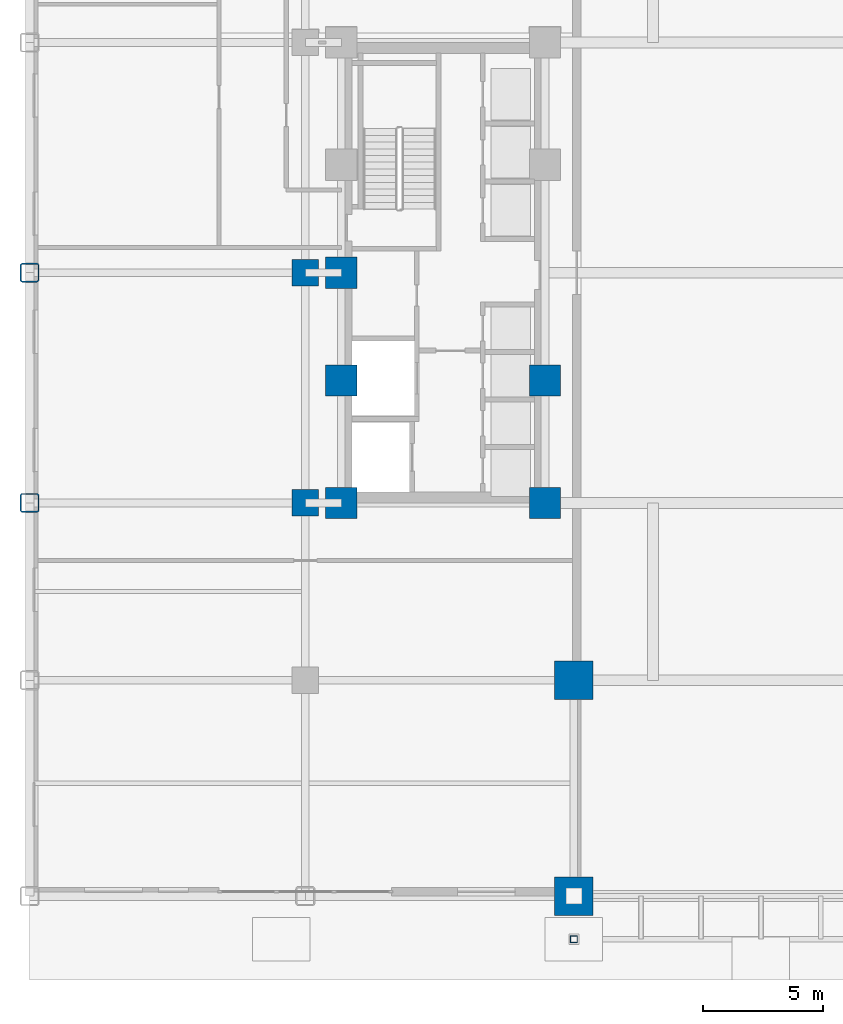
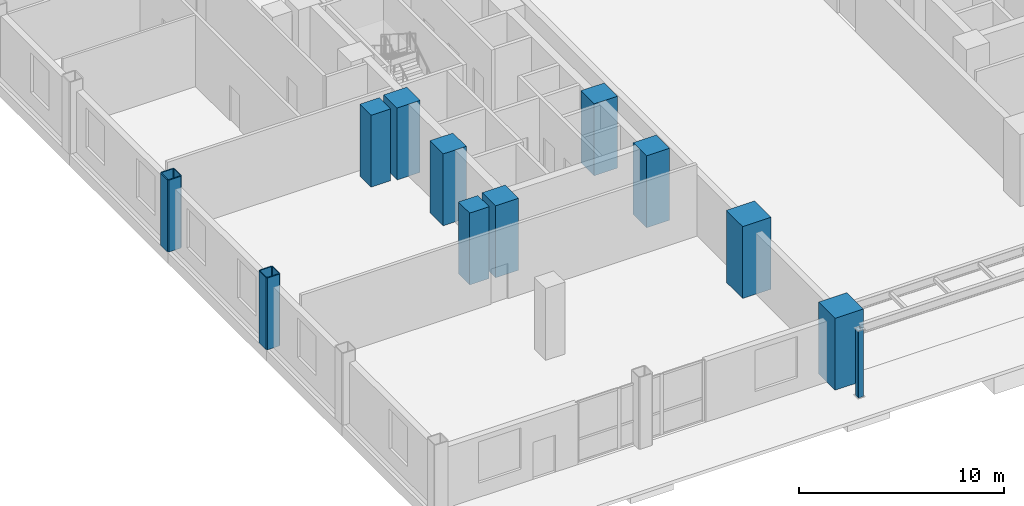
# One storey, part 2 of 20: 12 columns.
"""IFC4 building model written with IfcOpenShell, lengths in metres."""

from ifc_helpers import new_model, si_unit, direction, frame, origin, origin_2d, place, context, subcontext, project, spatial, rectangle, hollow_rectangle, extrude, material, material_profile, profile_set, type_object, element, save


model = new_model("IFC4")

# Units and contexts
model_context = context("Model", 3, precision=1e-05, world=origin(), true_north=direction((0.0, 1.0)))
body_context = subcontext(model_context, "Body", "Model", "MODEL_VIEW")
ifc_project = project(units=[si_unit("LENGTHUNIT", "METRE"), si_unit("AREAUNIT", "SQUARE_METRE"), si_unit("VOLUMEUNIT", "CUBIC_METRE"), si_unit("PLANEANGLEUNIT", "RADIAN"), si_unit("MASSUNIT", "GRAM", prefix="KILO")], contexts=[model_context])

# Site, building, storey
site_placement = place(None, origin())
site = spatial("IfcSite", under=ifc_project, at=site_placement, CompositionType="ELEMENT")
building_placement = place(site_placement, origin())
building = spatial("IfcBuilding", under=site, at=building_placement, Name="Nuvemarco Arch Tower", CompositionType="ELEMENT")
storey_placement = place(building_placement, origin())
storey = spatial("IfcBuildingStorey", under=building, at=storey_placement, Name="L00", CompositionType="ELEMENT", Elevation=0.0)

# Columns
ifc_material_1 = material(Name="Steel S355", Category="steel")
ifc_material_profile_1 = material_profile(ifc_material_1, hollow_rectangle(XDim=0.300048828125, YDim=0.300048828125, WallThickness=0.01611328125, InnerFilletRadius=0.01611328125, OuterFilletRadius=0.031982421875, at=origin_2d()), Name="SHS300x300x16")
ifc_profile_set_1 = profile_set([ifc_material_profile_1], Name="Steel S355")
column_type_1 = type_object("IfcColumnType", Name="COL-CANOPY-300", PredefinedType="COLUMN", material=ifc_profile_set_1)
column_placement = place(storey_placement, frame((-7.800048828125, -27.800048828125, 0.0), z_axis=(0.0, 0.0, 1.0), x_axis=(1.0, 0.0, 0.0)))
element("IfcColumn", 1, at=column_placement, inside=storey, type_object=column_type_1, Name="Portal arch canopy post S-W", PredefinedType="COLUMN", context=body_context, shape_type="SweptSolid", body=[
    extrude(hollow_rectangle(XDim=0.300048828125, YDim=0.300048828125, WallThickness=0.01611328125, InnerFilletRadius=0.01611328125, OuterFilletRadius=0.031982421875, at=origin_2d()), origin(), (0.0, 0.0, 1.0), 4.0),
])
ifc_material_2 = material(Name="Concrete C60/75", Category="concrete")
ifc_material_profile_2 = material_profile(ifc_material_2, rectangle(XDim=1.10009765625, YDim=1.10009765625, at=origin_2d()), Name="RC-COL-1100x1100")
ifc_profile_set_2 = profile_set([ifc_material_profile_2], Name="Concrete C60/75")
column_type_2 = type_object("IfcColumnType", Name="COL-CORE-1100", PredefinedType="COLUMN", material=ifc_profile_set_2)
for number, where, z_axis, x_axis, name in (
    (2, (-19.0, -9.60009765625, 0.0), (0.0, 0.0, 1.0), (1.0, 0.0, 0.0), "L00 column CP_-19.0_-9.6"),
    (3, (-19.0, 0.0, 0.0), (0.0, 0.0, 1.0), (1.0, 0.0, 0.0), "L00 column CP_-19.0_+0.0"),
):
    element("IfcColumn", number, at=place(storey_placement, frame(where, z_axis=z_axis, x_axis=x_axis)), inside=storey, type_object=column_type_2, Name=name, PredefinedType="COLUMN", context=body_context, shape_type="SweptSolid", body=[
        extrude(rectangle(XDim=1.10009765625, YDim=1.10009765625, at=origin_2d()), origin(), (0.0, 0.0, 1.0), 4.280029296875),
    ])
ifc_material_profile_3 = material_profile(ifc_material_2, rectangle(XDim=1.300048828125, YDim=1.300048828125, at=origin_2d()), Name="RC-COL-1300x1300")
ifc_profile_set_3 = profile_set([ifc_material_profile_3], Name="Concrete C60/75")
column_type_3 = type_object("IfcColumnType", Name="COL-CORE-1300", PredefinedType="COLUMN", material=ifc_profile_set_3)
for number, where, z_axis, x_axis, name in (
    (4, (-17.5, -9.60009765625, 0.0), (0.0, 0.0, 1.0), (1.0, 0.0, 0.0), "L00 column CC_-17.5_-9.6"),
    (5, (-17.5, -4.5, 0.0), (0.0, 0.0, 1.0), (1.0, 0.0, 0.0), "L00 column CC_-17.5_-4.5"),
    (6, (-9.0, -9.60009765625, 0.0), (0.0, 0.0, 1.0), (1.0, 0.0, 0.0), "L00 column CC_-9.0_-9.6"),
    (7, (-9.0, -4.5, 0.0), (0.0, 0.0, 1.0), (1.0, 0.0, 0.0), "L00 column CC_-9.0_-4.5"),
    (8, (-17.5, 0.0, 0.0), (0.0, 0.0, 1.0), (1.0, 0.0, 0.0), "L00 column CC_-17.5_+0.0"),
):
    element("IfcColumn", number, at=place(storey_placement, frame(where, z_axis=z_axis, x_axis=x_axis)), inside=storey, type_object=column_type_3, Name=name, PredefinedType="COLUMN", context=body_context, shape_type="SweptSolid", body=[
        extrude(rectangle(XDim=1.300048828125, YDim=1.300048828125, at=origin_2d()), origin(), (0.0, 0.0, 1.0), 4.280029296875),
    ])
ifc_material_3 = material(Name="Steel S460", Category="steel")
ifc_material_profile_4 = material_profile(ifc_material_3, hollow_rectangle(XDim=0.800048828125, YDim=0.800048828125, WallThickness=0.054931640625, InnerFilletRadius=0.054931640625, OuterFilletRadius=0.110107421875, at=origin_2d()), Name="SHS800x800x55")
ifc_profile_set_4 = profile_set([ifc_material_profile_4], Name="Steel S460")
column_type_4 = type_object("IfcColumnType", Name="COL-EXO-800", PredefinedType="COLUMN", material=ifc_profile_set_4)
for number, where, z_axis, x_axis, name in (
    (9, (-30.5, -9.60009765625, 0.0), (0.0, 0.0, 1.0), (1.0, 0.0, 0.0), "L00 column CP_-30.5_-9.6"),
    (10, (-30.5, 0.0, 0.0), (0.0, 0.0, 1.0), (1.0, 0.0, 0.0), "L00 column CP_-30.5_+0.0"),
):
    element("IfcColumn", number, at=place(storey_placement, frame(where, z_axis=z_axis, x_axis=x_axis)), inside=storey, type_object=column_type_4, Name=name, PredefinedType="COLUMN", context=body_context, shape_type="SweptSolid", body=[
        extrude(hollow_rectangle(XDim=0.800048828125, YDim=0.800048828125, WallThickness=0.054931640625, InnerFilletRadius=0.054931640625, OuterFilletRadius=0.110107421875, at=origin_2d()), origin(), (0.0, 0.0, 1.0), 4.280029296875),
    ])
ifc_material_profile_5 = material_profile(ifc_material_2, rectangle(XDim=1.60009765625, YDim=1.60009765625, at=origin_2d()), Name="RC-COL-1600x1600")
ifc_profile_set_5 = profile_set([ifc_material_profile_5], Name="Concrete C60/75")
column_type_5 = type_object("IfcColumnType", Name="COL-MEGA-1600-EXT", PredefinedType="COLUMN", material=ifc_profile_set_5)
for number, where, z_axis, x_axis, name in (
    (11, (-7.800048828125, -26.0, 0.0), (0.0, 0.0, 1.0), (1.0, 0.0, 0.0), "L00 column CM_-7.8_-26.0"),
    (12, (-7.800048828125, -17.0, 0.0), (0.0, 0.0, 1.0), (1.0, 0.0, 0.0), "L00 column CM_-7.8_-17.0"),
):
    element("IfcColumn", number, at=place(storey_placement, frame(where, z_axis=z_axis, x_axis=x_axis)), inside=storey, type_object=column_type_5, Name=name, PredefinedType="COLUMN", context=body_context, shape_type="SweptSolid", body=[
        extrude(rectangle(XDim=1.60009765625, YDim=1.60009765625, at=origin_2d()), origin(), (0.0, 0.0, 1.0), 4.280029296875),
    ])

save(model, "model.ifc")
